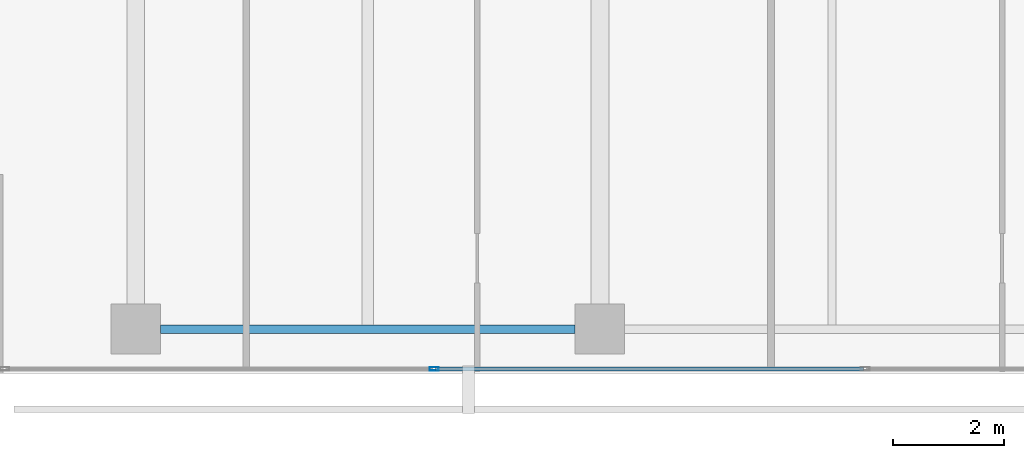
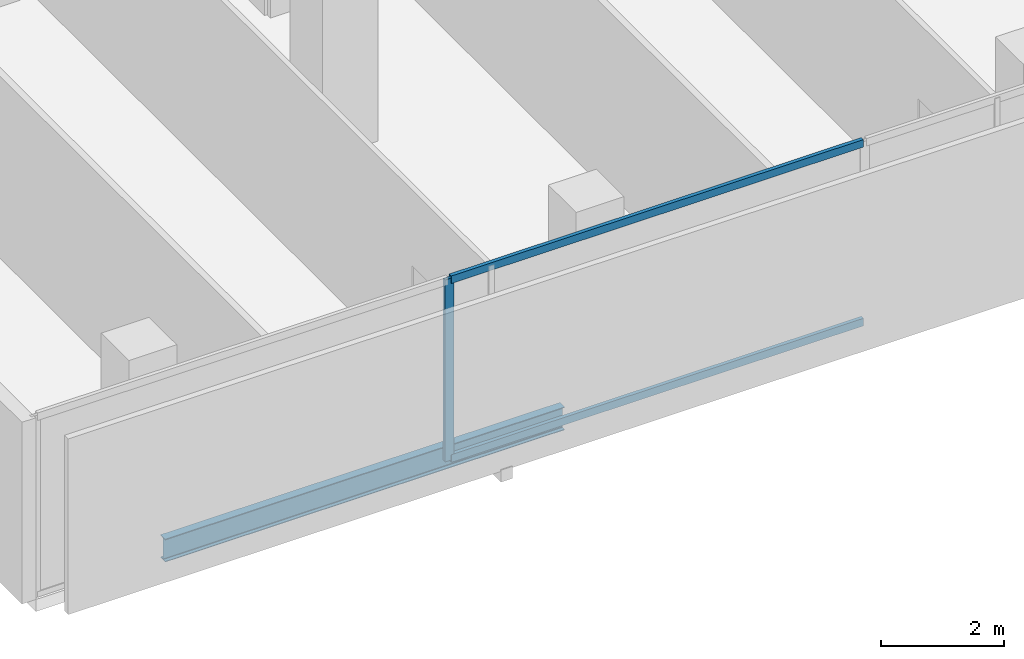
# One storey, part 3 of 40: 3 members, 1 beam, 1 element without a shape of its own.
"""IFC4 building model written with IfcOpenShell, lengths in metres."""

import ifcopenshell
import ifcopenshell.guid

model = None  # the IFC model being written
_history = None  # IfcOwnerHistory: only IFC2X3 demands one
_inside = {}  # id of a spatial element -> (the spatial element, [elements in it])
_under = {}  # id of a project, library or spatial element -> (it, [spatial elements below it])
_declared = {}  # id of a project -> (the project, [libraries it declares])
_typed = {}  # id of a type object -> (the type object, [elements of that type])
_made_of = {}  # id of a material, layer set ... -> (it, [elements and type objects made of it])


def new_model(schema):
    """Start an empty IFC model of exactly this schema.

    Asked for "IFC4X3", IfcOpenShell would pick the latest addendum, in which some entities
    have other attributes; the version numbers below select the first issue.
    IFC2X3 requires an IfcOwnerHistory on every rooted entity: one is made here for all.
    """
    global model, _history
    if schema == "IFC4X3":
        model = ifcopenshell.file(schema_version=(4, 3, 0, 0))
    else:
        model = ifcopenshell.file(schema=schema)
    _inside.clear()
    _under.clear()
    _declared.clear()
    _typed.clear()
    _made_of.clear()
    _history = None
    if model.schema == "IFC2X3":
        org = make("IfcOrganization", Name="unknown")
        user = make(
            "IfcPersonAndOrganization",
            ThePerson=make("IfcPerson", FamilyName="unknown"),
            TheOrganization=org,
        )
        app = make(
            "IfcApplication",
            ApplicationDeveloper=org,
            Version="unknown",
            ApplicationFullName="unknown",
            ApplicationIdentifier="unknown",
        )
        _history = make(
            "IfcOwnerHistory",
            OwningUser=user,
            OwningApplication=app,
            ChangeAction="ADDED",
            CreationDate=0,
        )
    return model


def make(cls, **values):
    """One entity of the class cls with the attributes given. An attribute that is None is left unset."""
    return model.create_entity(
        cls, **{name: value for name, value in values.items() if value is not None}
    )


def rooted(cls, **values):
    """An entity with a GlobalId (a new one), such as an element, a storey or a relation."""
    return make(cls, GlobalId=ifcopenshell.guid.new(), OwnerHistory=_history, **values)


def si_unit(unit_type, name, prefix=None):
    """IfcSIUnit, for example si_unit("LENGTHUNIT", "METRE", prefix="MILLI")."""
    return make("IfcSIUnit", UnitType=unit_type, Prefix=prefix, Name=name)


def assignment(units):
    """IfcUnitAssignment: the units of a project."""
    return None if units is None else make("IfcUnitAssignment", Units=units)


def point(xyz):
    """IfcCartesianPoint."""
    return None if xyz is None else make("IfcCartesianPoint", Coordinates=xyz)


def direction(xyz):
    """IfcDirection."""
    return None if xyz is None else make("IfcDirection", DirectionRatios=xyz)


def frame(location, z_axis=None, x_axis=None):
    """IfcAxis2Placement3D, a coordinate frame: its origin and axes. An axis left out is left unset."""
    return make(
        "IfcAxis2Placement3D",
        Location=point(location),
        Axis=direction(z_axis),
        RefDirection=direction(x_axis),
    )


def frame_2d(location, x_axis=None):
    """IfcAxis2Placement2D, a coordinate frame in the plane: its origin and x axis."""
    return make(
        "IfcAxis2Placement2D", Location=point(location), RefDirection=direction(x_axis)
    )


def origin():
    """The frame at (0, 0, 0) with its axes left unset."""
    return frame((0.0, 0.0, 0.0))


def origin_2d():
    """The frame at (0, 0) in the plane with its x axis left unset."""
    return frame_2d((0.0, 0.0))


def place(relative_to, where):
    """IfcLocalPlacement: puts the frame where relative to a parent placement (None: the world)."""
    return make(
        "IfcLocalPlacement", PlacementRelTo=relative_to, RelativePlacement=where
    )


def context(
    kind, dimensions, precision=None, world=None, true_north=None, identifier=None
):
    """IfcGeometricRepresentationContext, for example the 3D "Model" context."""
    return make(
        "IfcGeometricRepresentationContext",
        ContextIdentifier=identifier,
        ContextType=kind,
        CoordinateSpaceDimension=dimensions,
        Precision=precision,
        WorldCoordinateSystem=world,
        TrueNorth=true_north,
    )


def subcontext(parent, identifier, kind, view, scale=None):
    """IfcGeometricRepresentationSubContext, for example "Body" below "Model"."""
    return make(
        "IfcGeometricRepresentationSubContext",
        ContextIdentifier=identifier,
        ContextType=kind,
        ParentContext=parent,
        TargetScale=scale,
        TargetView=view,
    )


def project(units=None, contexts=None):
    """IfcProject with its units and contexts."""
    return rooted(
        "IfcProject",
        Name="project",
        RepresentationContexts=contexts,
        UnitsInContext=assignment(units),
    )


def spatial(cls, under=None, at=None, **own):
    """A site, building, storey or space (cls), placed at a placement, below another one or the project."""
    s = rooted(cls, ObjectPlacement=at, **own)
    if under is not None:
        _under.setdefault(under.id(), (under, []))[1].append(s)
    return s


def profile(cls, at=None, kind="AREA", **sizes):
    """A parametric profile (cls). Its sizes go by their IFC names, for example OverallWidth=200.0."""
    return make(cls, ProfileType=kind, Position=at, **sizes)


def hollow_rectangle(**sizes):
    """IfcRectangleHollowProfileDef."""
    return profile("IfcRectangleHollowProfileDef", **sizes)


def i_section(**sizes):
    """IfcIShapeProfileDef."""
    return profile("IfcIShapeProfileDef", **sizes)


def extrude(swept, where, along, depth):
    """IfcExtrudedAreaSolid: the profile swept, set in the frame where, extruded along a direction by depth."""
    return make(
        "IfcExtrudedAreaSolid",
        SweptArea=swept,
        Position=where,
        ExtrudedDirection=direction(along),
        Depth=depth,
    )


def shape(context_of_items, identifier, shape_type, items):
    """IfcShapeRepresentation: the items that make up one representation, for example the "Body"."""
    return make(
        "IfcShapeRepresentation",
        ContextOfItems=context_of_items,
        RepresentationIdentifier=identifier,
        RepresentationType=shape_type,
        Items=items,
    )


def material(Name=None, Category=None):
    """IfcMaterial."""
    return make("IfcMaterial", Name=Name, Category=Category)


def layer(
    of_material, thickness, ventilated=None, Name=None, Category=None, Priority=None
):
    """IfcMaterialLayer: one layer of a wall or slab, of a material (None: an air gap)."""
    return make(
        "IfcMaterialLayer",
        Material=of_material,
        LayerThickness=thickness,
        IsVentilated=ventilated,
        Name=Name,
        Category=Category,
        Priority=Priority,
    )


def layer_set(layers, Name=None):
    """IfcMaterialLayerSet."""
    return make("IfcMaterialLayerSet", MaterialLayers=layers, LayerSetName=Name)


def material_profile(
    of_material, cross_section, Name=None, Category=None, Priority=None
):
    """IfcMaterialProfile: a cross section and its material."""
    return make(
        "IfcMaterialProfile",
        Name=Name,
        Material=of_material,
        Profile=cross_section,
        Priority=Priority,
        Category=Category,
    )


def profile_set(profiles, Name=None, composite=None):
    """IfcMaterialProfileSet."""
    return make(
        "IfcMaterialProfileSet",
        Name=Name,
        MaterialProfiles=profiles,
        CompositeProfile=composite,
    )


def made_of(thing, what):
    """Note that an element or type object is made of a material, layer set ...; save() writes the relation."""
    if what is not None:
        _made_of.setdefault(what.id(), (what, []))[1].append(thing)
    return thing


def type_object(cls, material=None, **own):
    """A type object (cls), such as IfcWallType, which elements share."""
    return made_of(rooted(cls, **own), material)


def element(
    cls,
    number,
    at=None,
    inside=None,
    cuts=None,
    type_object=None,
    material=None,
    context=None,
    identifier="Body",
    shape_type=None,
    held_by="IfcProductDefinitionShape",
    body=None,
    shapes=None,
    **own,
):
    """One element of the class cls, such as IfcWall. Its Tag is "e" and its number.

    at: its placement. inside: the storey or other place that contains it. cuts: it is an
    opening in that element (IfcRelVoidsElement). A single representation is given by context,
    identifier, shape_type and body (its items); several are given by shapes. held_by: the class
    of the entity that holds the representations. save() writes the other relations.
    """
    e = rooted(cls, Tag="e%d" % number, ObjectPlacement=at, **own)
    if body is not None:
        shapes = [shape(context, identifier, shape_type, body)]
    if shapes is not None:
        e.Representation = make(held_by, Representations=shapes)
    if inside is not None:
        _inside.setdefault(inside.id(), (inside, []))[1].append(e)
    if cuts is not None:
        rooted(
            "IfcRelVoidsElement", RelatingBuildingElement=cuts, RelatedOpeningElement=e
        )
    if type_object is not None:
        _typed.setdefault(type_object.id(), (type_object, []))[1].append(e)
    return made_of(e, material)


def aggregate(whole, parts):
    """IfcRelAggregates: a whole, such as a stair, and the parts it consists of."""
    return rooted("IfcRelAggregates", RelatingObject=whole, RelatedObjects=parts)


def save(model, path):
    """Write the relations noted so far, then the file.

    IfcRelAggregates (storeys below a building ...), IfcRelContainedInSpatialStructure (elements
    in a storey), IfcRelDefinesByType, IfcRelAssociatesMaterial and IfcRelDeclares: one each for
    every whole, place, type object, material and project.
    """
    for whole, parts in _under.values():
        aggregate(whole, parts)
    for where, things in _inside.values():
        rooted(
            "IfcRelContainedInSpatialStructure",
            RelatedElements=things,
            RelatingStructure=where,
        )
    for kind, things in _typed.values():
        rooted("IfcRelDefinesByType", RelatedObjects=things, RelatingType=kind)
    for what, things in _made_of.values():
        rooted("IfcRelAssociatesMaterial", RelatedObjects=things, RelatingMaterial=what)
    for by, libraries in _declared.values():
        rooted("IfcRelDeclares", RelatingContext=by, RelatedDefinitions=libraries)
    model.write(path)


model = new_model("IFC4")

# Units and contexts
model_context = context("Model", 3, precision=1e-05, world=origin(), true_north=direction((0.0, 1.0)))
body_context = subcontext(model_context, "Body", "Model", "MODEL_VIEW")
ifc_project = project(units=[si_unit("LENGTHUNIT", "METRE"), si_unit("AREAUNIT", "SQUARE_METRE"), si_unit("VOLUMEUNIT", "CUBIC_METRE"), si_unit("PLANEANGLEUNIT", "RADIAN"), si_unit("MASSUNIT", "GRAM", prefix="KILO")], contexts=[model_context])

# Site, building, storey
site_placement = place(None, origin())
site = spatial("IfcSite", under=ifc_project, at=site_placement, CompositionType="ELEMENT")
building_placement = place(site_placement, origin())
building = spatial("IfcBuilding", under=site, at=building_placement, Name="Maruvema Waterfront Hotel and Observation Tower", CompositionType="ELEMENT")
storey_placement = place(building_placement, frame((0.0, 0.0, 107.800048828125)))
storey = spatial("IfcBuildingStorey", under=building, at=storey_placement, Name="L26", CompositionType="ELEMENT", Elevation=107.800048828125)

# Curtain wall, members
ifc_material_1 = material(Name="Anodised bronze aluminium and solar-control low-E IGU", Category="aluminium")
ifc_layer = layer(ifc_material_1, 0.159912109375, Name="Zone 1 Bronze Inner Thermal Curtain Wall System CW-02")
ifc_layer_set = layer_set([ifc_layer], Name="Anodised bronze aluminium and solar-control low-E IGU")
curtain_wall_type = type_object("IfcCurtainWallType", Name="Zone 1 Bronze Inner Thermal Curtain Wall System CW-02", PredefinedType="USERDEFINED", material=ifc_layer_set)
curtain_wall_placement = place(storey_placement, origin())
curtain_wall = element("IfcCurtainWall", 1, at=curtain_wall_placement, inside=storey, type_object=curtain_wall_type, Name="L26 Curtain Wall CW-L26-S", ObjectType="UNITISED CURTAIN WALL", PredefinedType="USERDEFINED")
ifc_material_2 = material(Name="Anodised architectural bronze aluminium", Category="aluminium")
ifc_material_profile_1 = material_profile(ifc_material_2, hollow_rectangle(XDim=0.070068359375, YDim=0.14990234375, WallThickness=0.00390625, at=origin_2d()), Name="ALU-T70x150")
ifc_profile_set_1 = profile_set([ifc_material_profile_1], Name="Anodised architectural bronze aluminium")
member_type_1 = type_object("IfcMemberType", Name="Curtain Wall Horizontal Transom ALU-T70x150", PredefinedType="USERDEFINED", material=ifc_profile_set_1)
member_1_placement = place(storey_placement, frame((22.22998046875, 0.080078125, 0.030029296875), z_axis=(1.0, 0.0, 0.0), x_axis=(0.0, 1.0, 0.0)))
member_1 = element("IfcMember", 2, at=member_1_placement, type_object=member_type_1, Name="CW-02 transom 2.1", ObjectType="TRANSOM", PredefinedType="USERDEFINED", context=body_context, shape_type="SweptSolid", body=[
    extrude(hollow_rectangle(XDim=0.070068359375, YDim=0.14990234375, WallThickness=0.00390625, at=origin_2d()), origin(), (0.0, 0.0, 1.0), 7.739990234375),
])
member_2_placement = place(storey_placement, frame((22.22998046875, 0.080078125, 3.579833984375), z_axis=(1.0, 0.0, 0.0), x_axis=(0.0, 1.0, 0.0)))
member_2 = element("IfcMember", 3, at=member_2_placement, type_object=member_type_1, Name="CW-02 transom 2.2", ObjectType="TRANSOM", PredefinedType="USERDEFINED", context=body_context, shape_type="SweptSolid", body=[
    extrude(hollow_rectangle(XDim=0.070068359375, YDim=0.14990234375, WallThickness=0.00390625, at=origin_2d()), origin(), (0.0, 0.0, 1.0), 7.739990234375),
])
ifc_material_3 = material(Name="Anodised architectural bronze aluminium", Category="aluminium")
ifc_material_profile_2 = material_profile(ifc_material_3, hollow_rectangle(XDim=0.06494140625, YDim=0.1650390625, WallThickness=0.00390625, at=origin_2d()), Name="ALU-M65x165")
ifc_profile_set_2 = profile_set([ifc_material_profile_2], Name="Anodised architectural bronze aluminium")
member_type_2 = type_object("IfcMemberType", Name="Curtain Wall Primary Mullion ALU-M65x165", PredefinedType="MULLION", material=ifc_profile_set_2)
member_3_placement = place(storey_placement, frame((22.199951171875, 0.080078125, 0.0), z_axis=(0.0, 0.0, 1.0), x_axis=(0.0, 1.0, 0.0)))
member_3 = element("IfcMember", 4, at=member_3_placement, type_object=member_type_2, Name="CW-02 mullion 2", PredefinedType="MULLION", context=body_context, shape_type="SweptSolid", body=[
    extrude(hollow_rectangle(XDim=0.06494140625, YDim=0.1650390625, WallThickness=0.00390625, at=origin_2d()), origin(), (0.0, 0.0, 1.0), 3.60986328125),
])
aggregate(curtain_wall, [member_3, member_1, member_2])

# Beam
ifc_material_4 = material(Name="Steel ASTM A572 Grade 50", Category="steel")
ifc_material_profile_3 = material_profile(ifc_material_4, i_section(OverallWidth=0.153076171875, OverallDepth=0.455078125, WebThickness=0.008056640625, FlangeThickness=0.01318359375, FilletRadius=0.014892578125, at=origin_2d()), Name="W460x60.0")
ifc_profile_set_3 = profile_set([ifc_material_profile_3], Name="Steel ASTM A572 Grade 50")
beam_type = type_object("IfcBeamType", Name="Perimeter Spandrel Beam W460x60.0", PredefinedType="SPANDREL", material=ifc_profile_set_3)
beam_placement = place(storey_placement, frame((17.25, 0.800048828125, -0.467529296875), z_axis=(1.0, 0.0, 0.0), x_axis=(0.0, 1.0, 0.0)))
element("IfcBeam", 5, at=beam_placement, inside=storey, type_object=beam_type, Name="L26 Floor Girder EW-01", PredefinedType="SPANDREL", context=body_context, shape_type="SweptSolid", body=[
    extrude(i_section(OverallWidth=0.153076171875, OverallDepth=0.455078125, WebThickness=0.008056640625, FlangeThickness=0.01318359375, FilletRadius=0.014892578125, at=origin_2d()), origin(), (0.0, 0.0, 1.0), 7.5),
])

save(model, "model.ifc")
